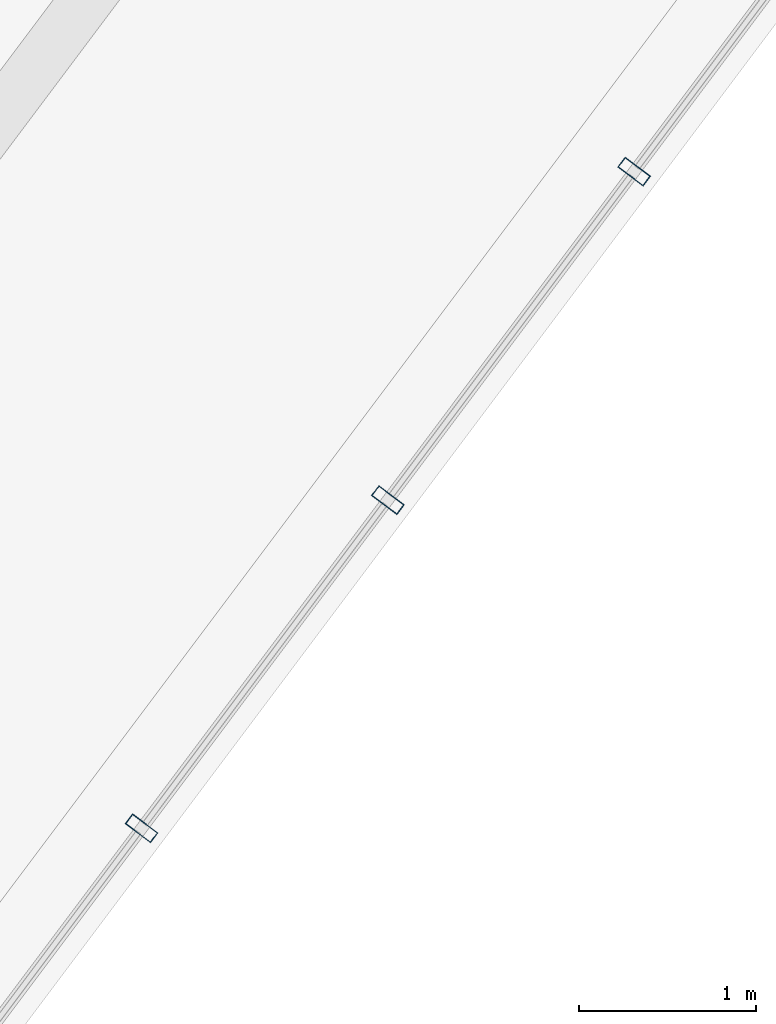
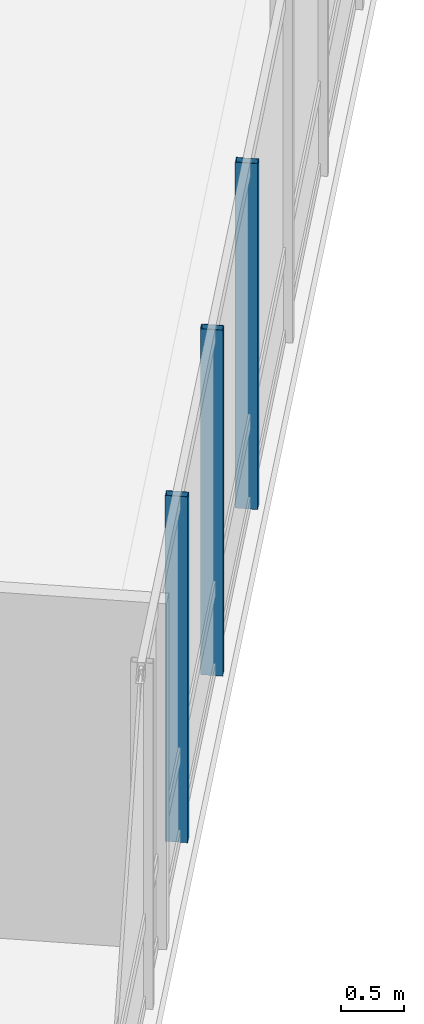
# One storey, part 11 of 24: 3 members, 1 element without a shape of its own.
"""IFC4 building model written with IfcOpenShell, lengths in metres."""

from ifc_helpers import new_model, si_unit, direction, frame, origin, origin_2d, place, context, subcontext, project, spatial, hollow_rectangle, extrude, material, layer, layer_set, material_profile, profile_set, type_object, element, aggregate, save


model = new_model("IFC4")

# Units and contexts
model_context = context("Model", 3, precision=1e-05, world=origin(), true_north=direction((0.0, 1.0)))
body_context = subcontext(model_context, "Body", "Model", "MODEL_VIEW")
ifc_project = project(units=[si_unit("LENGTHUNIT", "METRE"), si_unit("AREAUNIT", "SQUARE_METRE"), si_unit("VOLUMEUNIT", "CUBIC_METRE"), si_unit("PLANEANGLEUNIT", "RADIAN"), si_unit("MASSUNIT", "GRAM", prefix="KILO")], contexts=[model_context])

# Site, building, storey
site_placement = place(None, origin())
site = spatial("IfcSite", under=ifc_project, at=site_placement, CompositionType="ELEMENT")
building_placement = place(site_placement, origin())
building = spatial("IfcBuilding", under=site, at=building_placement, Name="Hatsunagi Terrace Concourse", CompositionType="ELEMENT")
storey_placement = place(building_placement, frame((0.0, 0.0, 191.550048828125)))
storey = spatial("IfcBuildingStorey", under=building, at=storey_placement, Name="L50", CompositionType="ELEMENT", Elevation=191.550048828125)

# Curtain wall, members
ifc_material_1 = material(Name="Anodised Aluminium Alloy 6063-T5", Category="aluminium")
ifc_layer = layer(ifc_material_1, 0.199951171875)
ifc_layer_set = layer_set([ifc_layer], Name="OfficeZone2_CW04")
curtain_wall_type = type_object("IfcCurtainWallType", Name="OfficeZone2_CW04", PredefinedType="NOTDEFINED", material=ifc_layer_set)
curtain_wall_placement = place(storey_placement, origin())
curtain_wall = element("IfcCurtainWall", 1, at=curtain_wall_placement, inside=storey, type_object=curtain_wall_type, Name="Unitised Curtain Wall CW-04 CW-L50-03", PredefinedType="NOTDEFINED")
ifc_material_2 = material(Name="Anodised Aluminium Alloy 6063-T5", Category="aluminium")
ifc_material_profile = material_profile(ifc_material_2, hollow_rectangle(XDim=0.070068359375, YDim=0.179931640625, WallThickness=0.00390625, at=origin_2d()), Name="ALU-MUL-180x70x4")
ifc_profile_set = profile_set([ifc_material_profile], Name="Anodised Aluminium Alloy 6063-T5")
member_type = type_object("IfcMemberType", Name="CurtainWallMullion_180x70", PredefinedType="MULLION", material=ifc_profile_set)
member_1_placement = place(storey_placement, frame((53.73193359375, 16.676025390625, 0.0), z_axis=(0.0, 0.0, 1.0), x_axis=(-0.599969314634, -0.800023013105, 0.0)))
member_1 = element("IfcMember", 2, at=member_1_placement, type_object=member_type, Name="Curtain Wall Mullion MUL-02", PredefinedType="MULLION", context=body_context, shape_type="SweptSolid", body=[
    extrude(hollow_rectangle(XDim=0.070068359375, YDim=0.179931640625, WallThickness=0.00390625, at=origin_2d()), origin(), (0.0, 0.0, 1.0), 3.349853515625),
])
member_2_placement = place(storey_placement, frame((52.340087890625, 14.819091796875, 0.0), z_axis=(0.0, 0.0, 1.0), x_axis=(-0.599969314634, -0.800023013105, 0.0)))
member_2 = element("IfcMember", 3, at=member_2_placement, type_object=member_type, Name="Curtain Wall Mullion MUL-02", PredefinedType="MULLION", context=body_context, shape_type="SweptSolid", body=[
    extrude(hollow_rectangle(XDim=0.070068359375, YDim=0.179931640625, WallThickness=0.00390625, at=origin_2d()), origin(), (0.0, 0.0, 1.0), 3.349853515625),
])
member_3_placement = place(storey_placement, frame((50.947021484375, 12.962890625, 0.0), z_axis=(0.0, 0.0, 1.0), x_axis=(-0.599969314634, -0.800023013105, 0.0)))
member_3 = element("IfcMember", 4, at=member_3_placement, type_object=member_type, Name="Curtain Wall Mullion MUL-02", PredefinedType="MULLION", context=body_context, shape_type="SweptSolid", body=[
    extrude(hollow_rectangle(XDim=0.070068359375, YDim=0.179931640625, WallThickness=0.00390625, at=origin_2d()), origin(), (0.0, 0.0, 1.0), 3.349853515625),
])
aggregate(curtain_wall, [member_1, member_2, member_3])

save(model, "model.ifc")
